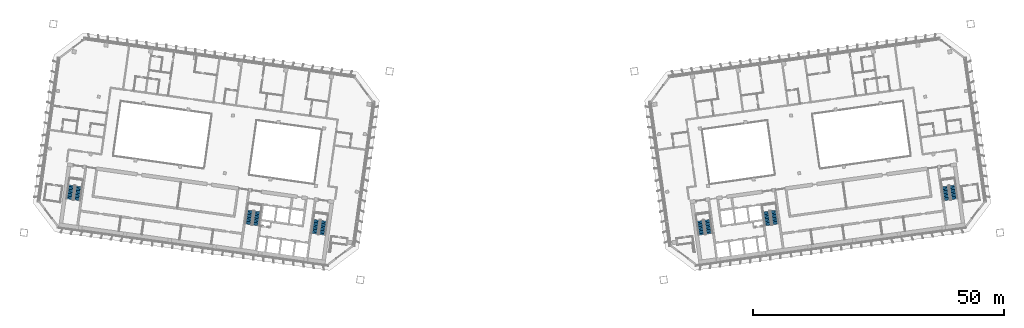
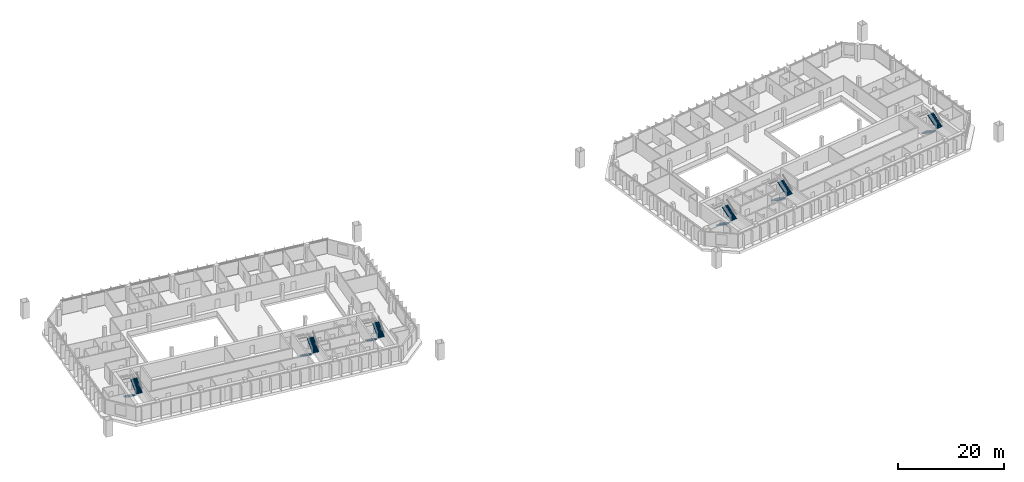
# One storey, part 23 of 25: 12 stair flights, 6 elements without a shape of their own.
"""IFC4 building model written with IfcOpenShell, lengths in metres."""

from ifc_helpers import new_model, si_unit, direction, frame, origin, place, context, subcontext, project, spatial, polyline, outline, extrude, material, type_object, element, aggregate, save


model = new_model("IFC4")

# Units and contexts
model_context = context("Model", 3, precision=1e-05, world=origin(), true_north=direction((0.0, 1.0)))
body_context = subcontext(model_context, "Body", "Model", "MODEL_VIEW")
ifc_project = project(units=[si_unit("LENGTHUNIT", "METRE"), si_unit("AREAUNIT", "SQUARE_METRE"), si_unit("VOLUMEUNIT", "CUBIC_METRE"), si_unit("PLANEANGLEUNIT", "RADIAN"), si_unit("MASSUNIT", "GRAM", prefix="KILO")], contexts=[model_context])

# Site, building, storey
site_placement = place(None, origin())
site = spatial("IfcSite", under=ifc_project, at=site_placement, CompositionType="ELEMENT")
building_placement = place(site_placement, origin())
building = spatial("IfcBuilding", under=site, at=building_placement, Name="Mirante Cascada Hotel Towers", CompositionType="ELEMENT")
storey_placement = place(building_placement, frame((0.0, 0.0, 172.6)))
storey = spatial("IfcBuildingStorey", under=building, at=storey_placement, Name="L40", CompositionType="ELEMENT", Elevation=172.6)

# Stair, stair flights
ifc_material_1 = material(Name="Concrete C35/45", Category="concrete")
stair_type = type_object("IfcStairType", Name="Exit stair half-turn 1350 concrete C35/45", PredefinedType="HALF_TURN_STAIR", material=ifc_material_1)
stair_1_placement = place(storey_placement, origin())
stair_1 = element("IfcStair", 1, at=stair_1_placement, inside=storey, type_object=stair_type, Name="L40 Exit stair A", PredefinedType="HALF_TURN_STAIR")
ifc_material_2 = material(Name="Concrete C35/45", Category="concrete")
stair_flight_type = type_object("IfcStairFlightType", Name="Exit stair flight 1350 concrete C35/45", PredefinedType="STRAIGHT", material=ifc_material_2)
stair_flight_1_placement = place(storey_placement, frame((-38.9417, -11.195, 0.0), z_axis=(0.0, 0.0, 1.0), x_axis=(-0.1391731, -0.9902681, 0.0)))
stair_flight_1 = element("IfcStairFlight", 2, at=stair_flight_1_placement, type_object=stair_flight_type, Name="ST1-A flight 1", NumberOfRisers=11, NumberOfTreads=10, PredefinedType="STRAIGHT", RiserHeight=0.172727273, TreadLength=0.28, context=body_context, shape_type="SweptSolid", body=[
    extrude(outline(polyline([(0.0, 0.0), (0.0, 0.1727), (0.28, 0.1727), (0.28, 0.3455), (0.56, 0.3455), (0.56, 0.5182), (0.84, 0.5182), (0.84, 0.6909), (1.12, 0.6909), (1.12, 0.8636), (1.4, 0.8636), (1.4, 1.0364), (1.68, 1.0364), (1.68, 1.2091), (1.96, 1.2091), (1.96, 1.3818), (2.24, 1.3818), (2.24, 1.5545), (2.52, 1.5545), (2.52, 1.7273), (2.8, 1.7273), (2.8, 1.9), (2.8, 1.551), (0.2857, 0.0), (0.0, 0.0)])), frame((0.0, 0.675, 0.0), z_axis=(0.0, -1.0, 0.0), x_axis=(1.0, 0.0, 0.0)), (0.0, 0.0, 1.0), 1.35),
])
stair_flight_2_placement = place(storey_placement, frame((-37.846, -14.1765, 1.9), z_axis=(0.0, 0.0, 1.0), x_axis=(0.1391731, 0.9902681, 0.0)))
stair_flight_2 = element("IfcStairFlight", 3, at=stair_flight_2_placement, type_object=stair_flight_type, Name="ST1-A flight 2", NumberOfRisers=11, NumberOfTreads=10, PredefinedType="STRAIGHT", RiserHeight=0.172727273, TreadLength=0.28, context=body_context, shape_type="SweptSolid", body=[
    extrude(outline(polyline([(0.0, 0.0), (0.0, 0.1727), (0.28, 0.1727), (0.28, 0.3455), (0.56, 0.3455), (0.56, 0.5182), (0.84, 0.5182), (0.84, 0.6909), (1.12, 0.6909), (1.12, 0.8636), (1.4, 0.8636), (1.4, 1.0364), (1.68, 1.0364), (1.68, 1.2091), (1.96, 1.2091), (1.96, 1.3818), (2.24, 1.3818), (2.24, 1.5545), (2.52, 1.5545), (2.52, 1.7273), (2.8, 1.7273), (2.8, 1.9), (2.8, 1.551), (0.2857, 0.0), (0.0, 0.0)])), frame((0.0, 0.675, 0.0), z_axis=(0.0, -1.0, 0.0), x_axis=(1.0, 0.0, 0.0)), (0.0, 0.0, 1.0), 1.35),
])
aggregate(stair_1, [stair_flight_1, stair_flight_2])

stair_2_placement = place(storey_placement, origin())
stair_2 = element("IfcStair", 4, at=stair_2_placement, inside=storey, type_object=stair_type, Name="L40 Exit stair B", PredefinedType="HALF_TURN_STAIR")
stair_flight_3_placement = place(storey_placement, frame((-52.1618, -9.3371, 0.0), z_axis=(0.0, 0.0, 1.0), x_axis=(-0.1391731, -0.9902681, 0.0)))
stair_flight_3 = element("IfcStairFlight", 5, at=stair_flight_3_placement, type_object=stair_flight_type, Name="ST1-B flight 1", NumberOfRisers=11, NumberOfTreads=10, PredefinedType="STRAIGHT", RiserHeight=0.172727273, TreadLength=0.28, context=body_context, shape_type="SweptSolid", body=[
    extrude(outline(polyline([(0.0, 0.0), (0.0, 0.1727), (0.28, 0.1727), (0.28, 0.3455), (0.56, 0.3455), (0.56, 0.5182), (0.84, 0.5182), (0.84, 0.6909), (1.12, 0.6909), (1.12, 0.8636), (1.4, 0.8636), (1.4, 1.0364), (1.68, 1.0364), (1.68, 1.2091), (1.96, 1.2091), (1.96, 1.3818), (2.24, 1.3818), (2.24, 1.5545), (2.52, 1.5545), (2.52, 1.7273), (2.8, 1.7273), (2.8, 1.9), (2.8, 1.551), (0.2857, 0.0), (0.0, 0.0)])), frame((0.0, 0.675, 0.0), z_axis=(0.0, -1.0, 0.0), x_axis=(1.0, 0.0, 0.0)), (0.0, 0.0, 1.0), 1.35),
])
stair_flight_4_placement = place(storey_placement, frame((-51.0661, -12.3186, 1.9), z_axis=(0.0, 0.0, 1.0), x_axis=(0.1391731, 0.9902681, 0.0)))
stair_flight_4 = element("IfcStairFlight", 6, at=stair_flight_4_placement, type_object=stair_flight_type, Name="ST1-B flight 2", NumberOfRisers=11, NumberOfTreads=10, PredefinedType="STRAIGHT", RiserHeight=0.172727273, TreadLength=0.28, context=body_context, shape_type="SweptSolid", body=[
    extrude(outline(polyline([(0.0, 0.0), (0.0, 0.1727), (0.28, 0.1727), (0.28, 0.3455), (0.56, 0.3455), (0.56, 0.5182), (0.84, 0.5182), (0.84, 0.6909), (1.12, 0.6909), (1.12, 0.8636), (1.4, 0.8636), (1.4, 1.0364), (1.68, 1.0364), (1.68, 1.2091), (1.96, 1.2091), (1.96, 1.3818), (2.24, 1.3818), (2.24, 1.5545), (2.52, 1.5545), (2.52, 1.7273), (2.8, 1.7273), (2.8, 1.9), (2.8, 1.551), (0.2857, 0.0), (0.0, 0.0)])), frame((0.0, 0.675, 0.0), z_axis=(0.0, -1.0, 0.0), x_axis=(1.0, 0.0, 0.0)), (0.0, 0.0, 1.0), 1.35),
])
aggregate(stair_2, [stair_flight_3, stair_flight_4])

stair_3_placement = place(storey_placement, origin())
stair_3 = element("IfcStair", 7, at=stair_3_placement, inside=storey, type_object=stair_type, Name="L40 Exit stair C", PredefinedType="HALF_TURN_STAIR")
stair_flight_5_placement = place(storey_placement, frame((-87.8115, -4.3268, 0.0), z_axis=(0.0, 0.0, 1.0), x_axis=(-0.1391731, -0.9902681, 0.0)))
stair_flight_5 = element("IfcStairFlight", 8, at=stair_flight_5_placement, type_object=stair_flight_type, Name="ST1-C flight 1", NumberOfRisers=11, NumberOfTreads=10, PredefinedType="STRAIGHT", RiserHeight=0.172727273, TreadLength=0.28, context=body_context, shape_type="SweptSolid", body=[
    extrude(outline(polyline([(0.0, 0.0), (0.0, 0.1727), (0.28, 0.1727), (0.28, 0.3455), (0.56, 0.3455), (0.56, 0.5182), (0.84, 0.5182), (0.84, 0.6909), (1.12, 0.6909), (1.12, 0.8636), (1.4, 0.8636), (1.4, 1.0364), (1.68, 1.0364), (1.68, 1.2091), (1.96, 1.2091), (1.96, 1.3818), (2.24, 1.3818), (2.24, 1.5545), (2.52, 1.5545), (2.52, 1.7273), (2.8, 1.7273), (2.8, 1.9), (2.8, 1.551), (0.2857, 0.0), (0.0, 0.0)])), frame((0.0, 0.675, 0.0), z_axis=(0.0, -1.0, 0.0), x_axis=(1.0, 0.0, 0.0)), (0.0, 0.0, 1.0), 1.35),
])
stair_flight_6_placement = place(storey_placement, frame((-86.7157, -7.3084, 1.9), z_axis=(0.0, 0.0, 1.0), x_axis=(0.1391731, 0.9902681, 0.0)))
stair_flight_6 = element("IfcStairFlight", 9, at=stair_flight_6_placement, type_object=stair_flight_type, Name="ST1-C flight 2", NumberOfRisers=11, NumberOfTreads=10, PredefinedType="STRAIGHT", RiserHeight=0.172727273, TreadLength=0.28, context=body_context, shape_type="SweptSolid", body=[
    extrude(outline(polyline([(0.0, 0.0), (0.0, 0.1727), (0.28, 0.1727), (0.28, 0.3455), (0.56, 0.3455), (0.56, 0.5182), (0.84, 0.5182), (0.84, 0.6909), (1.12, 0.6909), (1.12, 0.8636), (1.4, 0.8636), (1.4, 1.0364), (1.68, 1.0364), (1.68, 1.2091), (1.96, 1.2091), (1.96, 1.3818), (2.24, 1.3818), (2.24, 1.5545), (2.52, 1.5545), (2.52, 1.7273), (2.8, 1.7273), (2.8, 1.9), (2.8, 1.551), (0.2857, 0.0), (0.0, 0.0)])), frame((0.0, 0.675, 0.0), z_axis=(0.0, -1.0, 0.0), x_axis=(1.0, 0.0, 0.0)), (0.0, 0.0, 1.0), 1.35),
])
aggregate(stair_3, [stair_flight_5, stair_flight_6])

stair_4_placement = place(storey_placement, origin())
stair_4 = element("IfcStair", 10, at=stair_4_placement, inside=storey, type_object=stair_type, Name="L40 Exit stair A", PredefinedType="HALF_TURN_STAIR")
stair_flight_7_placement = place(storey_placement, frame((37.4563, -11.4038, 0.0), z_axis=(0.0, 0.0, 1.0), x_axis=(0.1391731, -0.9902681, 0.0)))
stair_flight_7 = element("IfcStairFlight", 11, at=stair_flight_7_placement, type_object=stair_flight_type, Name="ST2-A flight 1", NumberOfRisers=11, NumberOfTreads=10, PredefinedType="STRAIGHT", RiserHeight=0.172727273, TreadLength=0.28, context=body_context, shape_type="SweptSolid", body=[
    extrude(outline(polyline([(0.0, 0.0), (0.0, 0.1727), (0.28, 0.1727), (0.28, 0.3455), (0.56, 0.3455), (0.56, 0.5182), (0.84, 0.5182), (0.84, 0.6909), (1.12, 0.6909), (1.12, 0.8636), (1.4, 0.8636), (1.4, 1.0364), (1.68, 1.0364), (1.68, 1.2091), (1.96, 1.2091), (1.96, 1.3818), (2.24, 1.3818), (2.24, 1.5545), (2.52, 1.5545), (2.52, 1.7273), (2.8, 1.7273), (2.8, 1.9), (2.8, 1.551), (0.2857, 0.0), (0.0, 0.0)])), frame((0.0, 0.675, 0.0), z_axis=(0.0, -1.0, 0.0), x_axis=(1.0, 0.0, 0.0)), (0.0, 0.0, 1.0), 1.35),
])
stair_flight_8_placement = place(storey_placement, frame((39.3314, -13.9678, 1.9), z_axis=(0.0, 0.0, 1.0), x_axis=(-0.1391731, 0.9902681, 0.0)))
stair_flight_8 = element("IfcStairFlight", 12, at=stair_flight_8_placement, type_object=stair_flight_type, Name="ST2-A flight 2", NumberOfRisers=11, NumberOfTreads=10, PredefinedType="STRAIGHT", RiserHeight=0.172727273, TreadLength=0.28, context=body_context, shape_type="SweptSolid", body=[
    extrude(outline(polyline([(0.0, 0.0), (0.0, 0.1727), (0.28, 0.1727), (0.28, 0.3455), (0.56, 0.3455), (0.56, 0.5182), (0.84, 0.5182), (0.84, 0.6909), (1.12, 0.6909), (1.12, 0.8636), (1.4, 0.8636), (1.4, 1.0364), (1.68, 1.0364), (1.68, 1.2091), (1.96, 1.2091), (1.96, 1.3818), (2.24, 1.3818), (2.24, 1.5545), (2.52, 1.5545), (2.52, 1.7273), (2.8, 1.7273), (2.8, 1.9), (2.8, 1.551), (0.2857, 0.0), (0.0, 0.0)])), frame((0.0, 0.675, 0.0), z_axis=(0.0, -1.0, 0.0), x_axis=(1.0, 0.0, 0.0)), (0.0, 0.0, 1.0), 1.35),
])
aggregate(stair_4, [stair_flight_7, stair_flight_8])

stair_5_placement = place(storey_placement, origin())
stair_5 = element("IfcStair", 13, at=stair_5_placement, inside=storey, type_object=stair_type, Name="L40 Exit stair B", PredefinedType="HALF_TURN_STAIR")
stair_flight_9_placement = place(storey_placement, frame((50.6764, -9.5458, 0.0), z_axis=(0.0, 0.0, 1.0), x_axis=(0.1391731, -0.9902681, 0.0)))
stair_flight_9 = element("IfcStairFlight", 14, at=stair_flight_9_placement, type_object=stair_flight_type, Name="ST2-B flight 1", NumberOfRisers=11, NumberOfTreads=10, PredefinedType="STRAIGHT", RiserHeight=0.172727273, TreadLength=0.28, context=body_context, shape_type="SweptSolid", body=[
    extrude(outline(polyline([(0.0, 0.0), (0.0, 0.1727), (0.28, 0.1727), (0.28, 0.3455), (0.56, 0.3455), (0.56, 0.5182), (0.84, 0.5182), (0.84, 0.6909), (1.12, 0.6909), (1.12, 0.8636), (1.4, 0.8636), (1.4, 1.0364), (1.68, 1.0364), (1.68, 1.2091), (1.96, 1.2091), (1.96, 1.3818), (2.24, 1.3818), (2.24, 1.5545), (2.52, 1.5545), (2.52, 1.7273), (2.8, 1.7273), (2.8, 1.9), (2.8, 1.551), (0.2857, 0.0), (0.0, 0.0)])), frame((0.0, 0.675, 0.0), z_axis=(0.0, -1.0, 0.0), x_axis=(1.0, 0.0, 0.0)), (0.0, 0.0, 1.0), 1.35),
])
stair_flight_10_placement = place(storey_placement, frame((52.5515, -12.1098, 1.9), z_axis=(0.0, 0.0, 1.0), x_axis=(-0.1391731, 0.9902681, 0.0)))
stair_flight_10 = element("IfcStairFlight", 15, at=stair_flight_10_placement, type_object=stair_flight_type, Name="ST2-B flight 2", NumberOfRisers=11, NumberOfTreads=10, PredefinedType="STRAIGHT", RiserHeight=0.172727273, TreadLength=0.28, context=body_context, shape_type="SweptSolid", body=[
    extrude(outline(polyline([(0.0, 0.0), (0.0, 0.1727), (0.28, 0.1727), (0.28, 0.3455), (0.56, 0.3455), (0.56, 0.5182), (0.84, 0.5182), (0.84, 0.6909), (1.12, 0.6909), (1.12, 0.8636), (1.4, 0.8636), (1.4, 1.0364), (1.68, 1.0364), (1.68, 1.2091), (1.96, 1.2091), (1.96, 1.3818), (2.24, 1.3818), (2.24, 1.5545), (2.52, 1.5545), (2.52, 1.7273), (2.8, 1.7273), (2.8, 1.9), (2.8, 1.551), (0.2857, 0.0), (0.0, 0.0)])), frame((0.0, 0.675, 0.0), z_axis=(0.0, -1.0, 0.0), x_axis=(1.0, 0.0, 0.0)), (0.0, 0.0, 1.0), 1.35),
])
aggregate(stair_5, [stair_flight_9, stair_flight_10])

stair_6_placement = place(storey_placement, origin())
stair_6 = element("IfcStair", 16, at=stair_6_placement, inside=storey, type_object=stair_type, Name="L40 Exit stair C", PredefinedType="HALF_TURN_STAIR")
stair_flight_11_placement = place(storey_placement, frame((86.326, -4.5356, 0.0), z_axis=(0.0, 0.0, 1.0), x_axis=(0.1391731, -0.9902681, 0.0)))
stair_flight_11 = element("IfcStairFlight", 17, at=stair_flight_11_placement, type_object=stair_flight_type, Name="ST2-C flight 1", NumberOfRisers=11, NumberOfTreads=10, PredefinedType="STRAIGHT", RiserHeight=0.172727273, TreadLength=0.28, context=body_context, shape_type="SweptSolid", body=[
    extrude(outline(polyline([(0.0, 0.0), (0.0, 0.1727), (0.28, 0.1727), (0.28, 0.3455), (0.56, 0.3455), (0.56, 0.5182), (0.84, 0.5182), (0.84, 0.6909), (1.12, 0.6909), (1.12, 0.8636), (1.4, 0.8636), (1.4, 1.0364), (1.68, 1.0364), (1.68, 1.2091), (1.96, 1.2091), (1.96, 1.3818), (2.24, 1.3818), (2.24, 1.5545), (2.52, 1.5545), (2.52, 1.7273), (2.8, 1.7273), (2.8, 1.9), (2.8, 1.551), (0.2857, 0.0), (0.0, 0.0)])), frame((0.0, 0.675, 0.0), z_axis=(0.0, -1.0, 0.0), x_axis=(1.0, 0.0, 0.0)), (0.0, 0.0, 1.0), 1.35),
])
stair_flight_12_placement = place(storey_placement, frame((88.2011, -7.0996, 1.9), z_axis=(0.0, 0.0, 1.0), x_axis=(-0.1391731, 0.9902681, 0.0)))
stair_flight_12 = element("IfcStairFlight", 18, at=stair_flight_12_placement, type_object=stair_flight_type, Name="ST2-C flight 2", NumberOfRisers=11, NumberOfTreads=10, PredefinedType="STRAIGHT", RiserHeight=0.172727273, TreadLength=0.28, context=body_context, shape_type="SweptSolid", body=[
    extrude(outline(polyline([(0.0, 0.0), (0.0, 0.1727), (0.28, 0.1727), (0.28, 0.3455), (0.56, 0.3455), (0.56, 0.5182), (0.84, 0.5182), (0.84, 0.6909), (1.12, 0.6909), (1.12, 0.8636), (1.4, 0.8636), (1.4, 1.0364), (1.68, 1.0364), (1.68, 1.2091), (1.96, 1.2091), (1.96, 1.3818), (2.24, 1.3818), (2.24, 1.5545), (2.52, 1.5545), (2.52, 1.7273), (2.8, 1.7273), (2.8, 1.9), (2.8, 1.551), (0.2857, 0.0), (0.0, 0.0)])), frame((0.0, 0.675, 0.0), z_axis=(0.0, -1.0, 0.0), x_axis=(1.0, 0.0, 0.0)), (0.0, 0.0, 1.0), 1.35),
])
aggregate(stair_6, [stair_flight_11, stair_flight_12])

save(model, "model.ifc")
